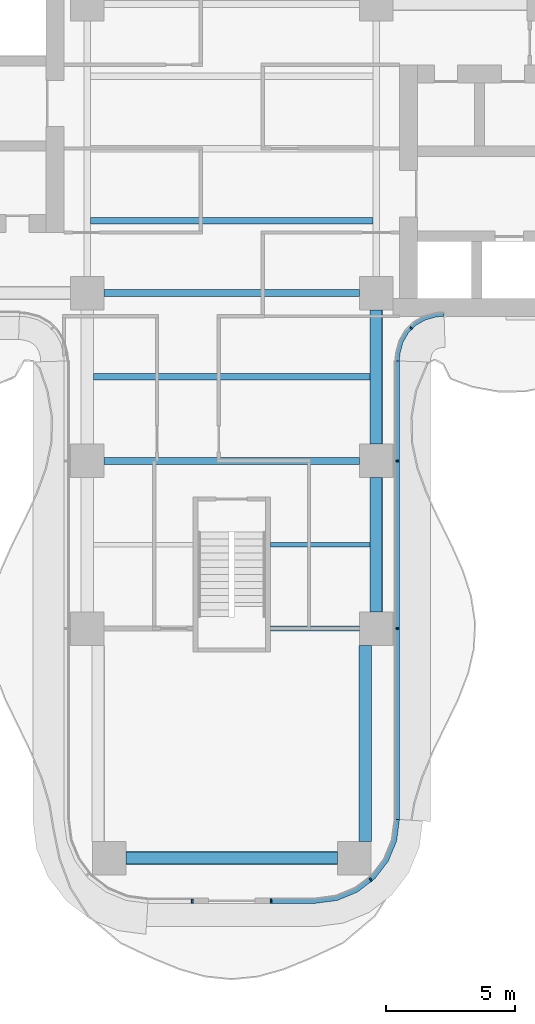
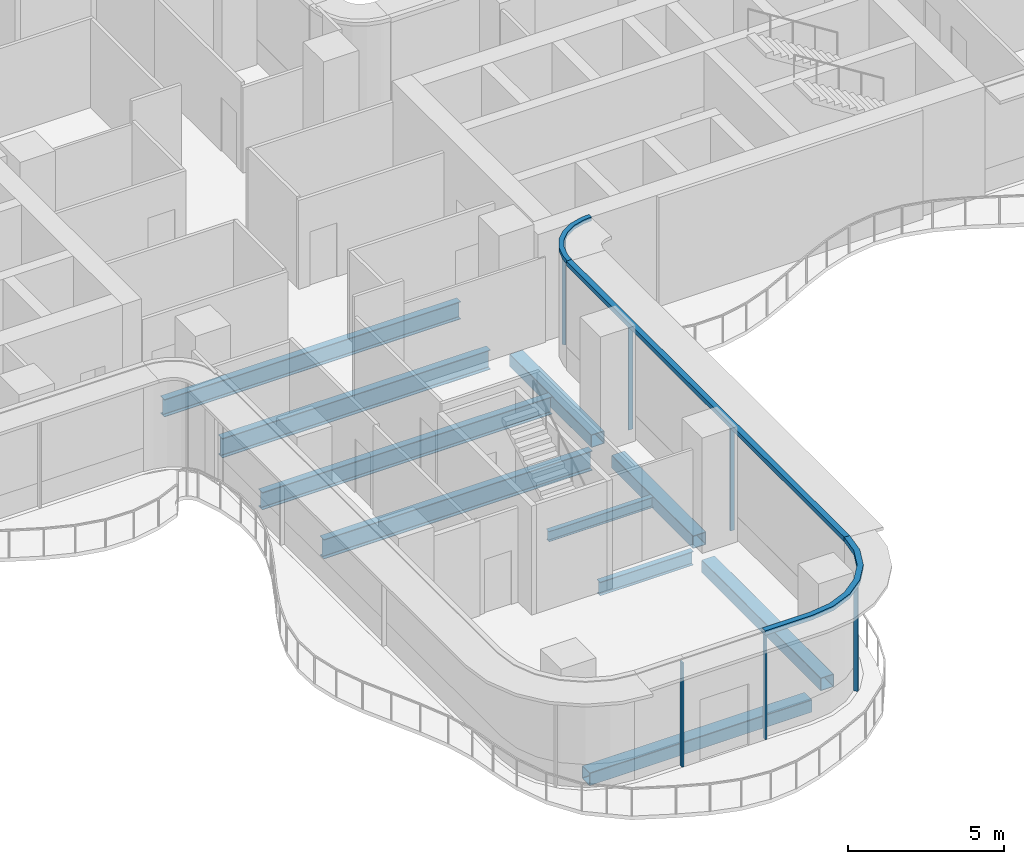
# One storey, part 5 of 21: 10 beams, 9 members, 4 elements without a shape of their own.
"""IFC4 building model written with IfcOpenShell, lengths in metres."""

import ifcopenshell
import ifcopenshell.guid

model = None  # the IFC model being written
_history = None  # IfcOwnerHistory: only IFC2X3 demands one
_inside = {}  # id of a spatial element -> (the spatial element, [elements in it])
_under = {}  # id of a project, library or spatial element -> (it, [spatial elements below it])
_declared = {}  # id of a project -> (the project, [libraries it declares])
_typed = {}  # id of a type object -> (the type object, [elements of that type])
_made_of = {}  # id of a material, layer set ... -> (it, [elements and type objects made of it])


def new_model(schema):
    """Start an empty IFC model of exactly this schema.

    Asked for "IFC4X3", IfcOpenShell would pick the latest addendum, in which some entities
    have other attributes; the version numbers below select the first issue.
    IFC2X3 requires an IfcOwnerHistory on every rooted entity: one is made here for all.
    """
    global model, _history
    if schema == "IFC4X3":
        model = ifcopenshell.file(schema_version=(4, 3, 0, 0))
    else:
        model = ifcopenshell.file(schema=schema)
    _inside.clear()
    _under.clear()
    _declared.clear()
    _typed.clear()
    _made_of.clear()
    _history = None
    if model.schema == "IFC2X3":
        org = make("IfcOrganization", Name="unknown")
        user = make(
            "IfcPersonAndOrganization",
            ThePerson=make("IfcPerson", FamilyName="unknown"),
            TheOrganization=org,
        )
        app = make(
            "IfcApplication",
            ApplicationDeveloper=org,
            Version="unknown",
            ApplicationFullName="unknown",
            ApplicationIdentifier="unknown",
        )
        _history = make(
            "IfcOwnerHistory",
            OwningUser=user,
            OwningApplication=app,
            ChangeAction="ADDED",
            CreationDate=0,
        )
    return model


def make(cls, **values):
    """One entity of the class cls with the attributes given. An attribute that is None is left unset."""
    return model.create_entity(
        cls, **{name: value for name, value in values.items() if value is not None}
    )


def rooted(cls, **values):
    """An entity with a GlobalId (a new one), such as an element, a storey or a relation."""
    return make(cls, GlobalId=ifcopenshell.guid.new(), OwnerHistory=_history, **values)


def si_unit(unit_type, name, prefix=None):
    """IfcSIUnit, for example si_unit("LENGTHUNIT", "METRE", prefix="MILLI")."""
    return make("IfcSIUnit", UnitType=unit_type, Prefix=prefix, Name=name)


def assignment(units):
    """IfcUnitAssignment: the units of a project."""
    return None if units is None else make("IfcUnitAssignment", Units=units)


def point(xyz):
    """IfcCartesianPoint."""
    return None if xyz is None else make("IfcCartesianPoint", Coordinates=xyz)


def direction(xyz):
    """IfcDirection."""
    return None if xyz is None else make("IfcDirection", DirectionRatios=xyz)


def frame(location, z_axis=None, x_axis=None):
    """IfcAxis2Placement3D, a coordinate frame: its origin and axes. An axis left out is left unset."""
    return make(
        "IfcAxis2Placement3D",
        Location=point(location),
        Axis=direction(z_axis),
        RefDirection=direction(x_axis),
    )


def frame_2d(location, x_axis=None):
    """IfcAxis2Placement2D, a coordinate frame in the plane: its origin and x axis."""
    return make(
        "IfcAxis2Placement2D", Location=point(location), RefDirection=direction(x_axis)
    )


def origin():
    """The frame at (0, 0, 0) with its axes left unset."""
    return frame((0.0, 0.0, 0.0))


def origin_2d():
    """The frame at (0, 0) in the plane with its x axis left unset."""
    return frame_2d((0.0, 0.0))


def place(relative_to, where):
    """IfcLocalPlacement: puts the frame where relative to a parent placement (None: the world)."""
    return make(
        "IfcLocalPlacement", PlacementRelTo=relative_to, RelativePlacement=where
    )


def context(
    kind, dimensions, precision=None, world=None, true_north=None, identifier=None
):
    """IfcGeometricRepresentationContext, for example the 3D "Model" context."""
    return make(
        "IfcGeometricRepresentationContext",
        ContextIdentifier=identifier,
        ContextType=kind,
        CoordinateSpaceDimension=dimensions,
        Precision=precision,
        WorldCoordinateSystem=world,
        TrueNorth=true_north,
    )


def subcontext(parent, identifier, kind, view, scale=None):
    """IfcGeometricRepresentationSubContext, for example "Body" below "Model"."""
    return make(
        "IfcGeometricRepresentationSubContext",
        ContextIdentifier=identifier,
        ContextType=kind,
        ParentContext=parent,
        TargetScale=scale,
        TargetView=view,
    )


def project(units=None, contexts=None):
    """IfcProject with its units and contexts."""
    return rooted(
        "IfcProject",
        Name="project",
        RepresentationContexts=contexts,
        UnitsInContext=assignment(units),
    )


def spatial(cls, under=None, at=None, **own):
    """A site, building, storey or space (cls), placed at a placement, below another one or the project."""
    s = rooted(cls, ObjectPlacement=at, **own)
    if under is not None:
        _under.setdefault(under.id(), (under, []))[1].append(s)
    return s


def polyline(points):
    """IfcPolyline through the points."""
    return make("IfcPolyline", Points=[point(p) for p in points])


def profile(cls, at=None, kind="AREA", **sizes):
    """A parametric profile (cls). Its sizes go by their IFC names, for example OverallWidth=200.0."""
    return make(cls, ProfileType=kind, Position=at, **sizes)


def rectangle(**sizes):
    """IfcRectangleProfileDef."""
    return profile("IfcRectangleProfileDef", **sizes)


def hollow_rectangle(**sizes):
    """IfcRectangleHollowProfileDef."""
    return profile("IfcRectangleHollowProfileDef", **sizes)


def i_section(**sizes):
    """IfcIShapeProfileDef."""
    return profile("IfcIShapeProfileDef", **sizes)


def outline(outer, holes=None, kind="AREA"):
    """IfcArbitraryClosedProfileDef: a profile drawn as a closed curve; with holes, ...WithVoids."""
    if holes is None:
        return make("IfcArbitraryClosedProfileDef", ProfileType=kind, OuterCurve=outer)
    return make(
        "IfcArbitraryProfileDefWithVoids",
        ProfileType=kind,
        OuterCurve=outer,
        InnerCurves=holes,
    )


def extrude(swept, where, along, depth):
    """IfcExtrudedAreaSolid: the profile swept, set in the frame where, extruded along a direction by depth."""
    return make(
        "IfcExtrudedAreaSolid",
        SweptArea=swept,
        Position=where,
        ExtrudedDirection=direction(along),
        Depth=depth,
    )


def shape(context_of_items, identifier, shape_type, items):
    """IfcShapeRepresentation: the items that make up one representation, for example the "Body"."""
    return make(
        "IfcShapeRepresentation",
        ContextOfItems=context_of_items,
        RepresentationIdentifier=identifier,
        RepresentationType=shape_type,
        Items=items,
    )


def source(mapping_origin, context_of_items, identifier, shape_type, items):
    """IfcRepresentationMap: a shape defined once, which mapped items show again and again."""
    return make(
        "IfcRepresentationMap",
        MappingOrigin=mapping_origin,
        MappedRepresentation=shape(context_of_items, identifier, shape_type, items),
    )


def transform(
    local_origin,
    x_axis=None,
    y_axis=None,
    z_axis=None,
    scale=None,
    scale2=None,
    scale3=None,
    uniform=True,
):
    """IfcCartesianTransformationOperator3D, or its non-uniform kind. x_axis, y_axis, z_axis: its Axis1, 2, 3."""
    if uniform:
        return make(
            "IfcCartesianTransformationOperator3D",
            Axis1=direction(x_axis),
            Axis2=direction(y_axis),
            LocalOrigin=point(local_origin),
            Scale=scale,
            Axis3=direction(z_axis),
        )
    return make(
        "IfcCartesianTransformationOperator3DnonUniform",
        Axis1=direction(x_axis),
        Axis2=direction(y_axis),
        LocalOrigin=point(local_origin),
        Scale=scale,
        Axis3=direction(z_axis),
        Scale2=scale2,
        Scale3=scale3,
    )


def mapped(mapping_source, mapping_target):
    """IfcMappedItem: shows the shape of a source again, moved by a transform."""
    return make(
        "IfcMappedItem", MappingSource=mapping_source, MappingTarget=mapping_target
    )


def material(Name=None, Category=None):
    """IfcMaterial."""
    return make("IfcMaterial", Name=Name, Category=Category)


def layer(
    of_material, thickness, ventilated=None, Name=None, Category=None, Priority=None
):
    """IfcMaterialLayer: one layer of a wall or slab, of a material (None: an air gap)."""
    return make(
        "IfcMaterialLayer",
        Material=of_material,
        LayerThickness=thickness,
        IsVentilated=ventilated,
        Name=Name,
        Category=Category,
        Priority=Priority,
    )


def layer_set(layers, Name=None):
    """IfcMaterialLayerSet."""
    return make("IfcMaterialLayerSet", MaterialLayers=layers, LayerSetName=Name)


def material_profile(
    of_material, cross_section, Name=None, Category=None, Priority=None
):
    """IfcMaterialProfile: a cross section and its material."""
    return make(
        "IfcMaterialProfile",
        Name=Name,
        Material=of_material,
        Profile=cross_section,
        Priority=Priority,
        Category=Category,
    )


def profile_set(profiles, Name=None, composite=None):
    """IfcMaterialProfileSet."""
    return make(
        "IfcMaterialProfileSet",
        Name=Name,
        MaterialProfiles=profiles,
        CompositeProfile=composite,
    )


def made_of(thing, what):
    """Note that an element or type object is made of a material, layer set ...; save() writes the relation."""
    if what is not None:
        _made_of.setdefault(what.id(), (what, []))[1].append(thing)
    return thing


def type_object(cls, material=None, **own):
    """A type object (cls), such as IfcWallType, which elements share."""
    return made_of(rooted(cls, **own), material)


def element(
    cls,
    number,
    at=None,
    inside=None,
    cuts=None,
    type_object=None,
    material=None,
    context=None,
    identifier="Body",
    shape_type=None,
    held_by="IfcProductDefinitionShape",
    body=None,
    shapes=None,
    **own,
):
    """One element of the class cls, such as IfcWall. Its Tag is "e" and its number.

    at: its placement. inside: the storey or other place that contains it. cuts: it is an
    opening in that element (IfcRelVoidsElement). A single representation is given by context,
    identifier, shape_type and body (its items); several are given by shapes. held_by: the class
    of the entity that holds the representations. save() writes the other relations.
    """
    e = rooted(cls, Tag="e%d" % number, ObjectPlacement=at, **own)
    if body is not None:
        shapes = [shape(context, identifier, shape_type, body)]
    if shapes is not None:
        e.Representation = make(held_by, Representations=shapes)
    if inside is not None:
        _inside.setdefault(inside.id(), (inside, []))[1].append(e)
    if cuts is not None:
        rooted(
            "IfcRelVoidsElement", RelatingBuildingElement=cuts, RelatedOpeningElement=e
        )
    if type_object is not None:
        _typed.setdefault(type_object.id(), (type_object, []))[1].append(e)
    return made_of(e, material)


def aggregate(whole, parts):
    """IfcRelAggregates: a whole, such as a stair, and the parts it consists of."""
    return rooted("IfcRelAggregates", RelatingObject=whole, RelatedObjects=parts)


def save(model, path):
    """Write the relations noted so far, then the file.

    IfcRelAggregates (storeys below a building ...), IfcRelContainedInSpatialStructure (elements
    in a storey), IfcRelDefinesByType, IfcRelAssociatesMaterial and IfcRelDeclares: one each for
    every whole, place, type object, material and project.
    """
    for whole, parts in _under.values():
        aggregate(whole, parts)
    for where, things in _inside.values():
        rooted(
            "IfcRelContainedInSpatialStructure",
            RelatedElements=things,
            RelatingStructure=where,
        )
    for kind, things in _typed.values():
        rooted("IfcRelDefinesByType", RelatedObjects=things, RelatingType=kind)
    for what, things in _made_of.values():
        rooted("IfcRelAssociatesMaterial", RelatedObjects=things, RelatingMaterial=what)
    for by, libraries in _declared.values():
        rooted("IfcRelDeclares", RelatingContext=by, RelatedDefinitions=libraries)
    model.write(path)


model = new_model("IFC4")

# Units and contexts
model_context = context("Model", 3, precision=1e-05, world=origin(), true_north=direction((0.0, 1.0)))
body_context = subcontext(model_context, "Body", "Model", "MODEL_VIEW")
ifc_project = project(units=[si_unit("LENGTHUNIT", "METRE"), si_unit("AREAUNIT", "SQUARE_METRE"), si_unit("VOLUMEUNIT", "CUBIC_METRE"), si_unit("PLANEANGLEUNIT", "RADIAN"), si_unit("MASSUNIT", "GRAM", prefix="KILO")], contexts=[model_context])

# Site, building, storey
site_placement = place(None, origin())
site = spatial("IfcSite", under=ifc_project, at=site_placement, CompositionType="ELEMENT")
building_placement = place(site_placement, origin())
building = spatial("IfcBuilding", under=site, at=building_placement, Name="Trellis Farm Tower", CompositionType="ELEMENT")
storey_placement = place(building_placement, frame((0.0, 0.0, 97.5)))
storey = spatial("IfcBuildingStorey", under=building, at=storey_placement, Name="L20", CompositionType="ELEMENT", Elevation=97.5)

# Beams
ifc_material_1 = material(Name="Steel S355", Category="steel")
ifc_material_profile_1 = material_profile(ifc_material_1, i_section(OverallWidth=0.253662109375, OverallDepth=0.68359375, WebThickness=0.012451171875, FlangeThickness=0.021728515625, FilletRadius=0.01513671875, at=origin_2d()), Name="UB 686x254x140")
ifc_profile_set_1 = profile_set([ifc_material_profile_1], Name="Steel S355")
beam_type_1 = type_object("IfcBeamType", Name="UB 686x254x140 joist", PredefinedType="JOIST", material=ifc_profile_set_1)
shared_shape_1 = source(origin(), body_context, "Body", "SweptSolid", [
    extrude(i_section(OverallWidth=0.253662109375, OverallDepth=0.68359375, WebThickness=0.012451171875, FlangeThickness=0.021728515625, FilletRadius=0.01513671875, at=origin_2d()), origin(), (0.0, 0.0, 1.0), 10.93310546875),
])
beam_1_placement = place(storey_placement, frame((-5.466552734375, -2.800048828125, -0.591796875), z_axis=(1.0, 0.0, 0.0), x_axis=(0.0, 1.0, 0.0)))
element("IfcBeam", 1, at=beam_1_placement, inside=storey, type_object=beam_type_1, Name="Floor beam", PredefinedType="JOIST", context=body_context, shape_type="MappedRepresentation", body=[
    mapped(shared_shape_1, transform((0.0, 0.0, 0.0))),
])
ifc_material_profile_2 = material_profile(ifc_material_1, i_section(OverallWidth=0.209228515625, OverallDepth=0.533203125, WebThickness=0.010009765625, FlangeThickness=0.015625, FilletRadius=0.0126953125, at=origin_2d()), Name="UB 533x210x92")
ifc_profile_set_2 = profile_set([ifc_material_profile_2], Name="Steel S355")
beam_type_2 = type_object("IfcBeamType", Name="UB 533x210x92", PredefinedType="BEAM", material=ifc_profile_set_2)
shared_shape_2 = source(origin(), body_context, "Body", "SweptSolid", [
    extrude(i_section(OverallWidth=0.209228515625, OverallDepth=0.533203125, WebThickness=0.010009765625, FlangeThickness=0.015625, FilletRadius=0.0126953125, at=origin_2d()), origin(), (0.0, 0.0, 1.0), 3.449951171875),
])
beam_2_placement = place(storey_placement, frame((1.5, -18.60009765625, -0.5166015625), z_axis=(1.0, 0.0, 0.0), x_axis=(0.0, 1.0, 0.0)))
element("IfcBeam", 2, at=beam_2_placement, inside=storey, type_object=beam_type_2, Name="Girder", PredefinedType="BEAM", context=body_context, shape_type="MappedRepresentation", body=[
    mapped(shared_shape_2, transform((0.0, 0.0, 0.0))),
])
ifc_material_profile_3 = material_profile(ifc_material_1, hollow_rectangle(XDim=0.5, YDim=0.5, WallThickness=0.02001953125, InnerFilletRadius=0.02001953125, OuterFilletRadius=0.030029296875, at=origin_2d()), Name="SHS 500x500x20")
ifc_profile_set_3 = profile_set([ifc_material_profile_3], Name="Steel S355")
beam_type_3 = type_object("IfcBeamType", Name="SHS 500x500x20", PredefinedType="BEAM", material=ifc_profile_set_3)
shared_shape_3 = source(origin(), body_context, "Body", "SweptSolid", [
    extrude(hollow_rectangle(XDim=0.5, YDim=0.5, WallThickness=0.02001953125, InnerFilletRadius=0.02001953125, OuterFilletRadius=0.030029296875, at=origin_2d()), origin(), (0.0, 0.0, 1.0), 5.199951171875),
])
for number, where, z_axis, x_axis, name in (
    (3, (5.60009765625, -17.949951171875, -0.5), (0.0, 1.0, 0.0), (-1.0, 0.0, 0.0), "Girder"),
    (4, (5.60009765625, -11.449951171875, -0.5), (0.0, 1.0, 0.0), (-1.0, 0.0, 0.0), "Girder"),
):
    element("IfcBeam", number, at=place(storey_placement, frame(where, z_axis=z_axis, x_axis=x_axis)), inside=storey, type_object=beam_type_3, Name=name, PredefinedType="BEAM", context=body_context, shape_type="MappedRepresentation", body=[
        mapped(shared_shape_3, transform((0.0, 0.0, 0.0))),
    ])
ifc_material_profile_4 = material_profile(ifc_material_1, i_section(OverallWidth=0.2666015625, OverallDepth=0.76220703125, WebThickness=0.014404296875, FlangeThickness=0.021484375, FilletRadius=0.0166015625, at=origin_2d()), Name="UB 762x267x173")
ifc_profile_set_4 = profile_set([ifc_material_profile_4], Name="Steel S355")
beam_type_4 = type_object("IfcBeamType", Name="UB 762x267x173", PredefinedType="BEAM", material=ifc_profile_set_4)
shared_shape_4 = source(origin(), body_context, "Body", "SweptSolid", [
    extrude(i_section(OverallWidth=0.2666015625, OverallDepth=0.76220703125, WebThickness=0.014404296875, FlangeThickness=0.021484375, FilletRadius=0.0166015625, at=origin_2d()), origin(), (0.0, 0.0, 1.0), 9.89990234375),
])
for number, where, z_axis, x_axis, name in (
    (5, (-4.949951171875, -12.10009765625, -0.631103515625), (1.0, 0.0, 0.0), (0.0, 1.0, 0.0), "Girder"),
    (6, (-4.949951171875, -5.60009765625, -0.631103515625), (1.0, 0.0, 0.0), (0.0, 1.0, 0.0), "Girder"),
):
    element("IfcBeam", number, at=place(storey_placement, frame(where, z_axis=z_axis, x_axis=x_axis)), inside=storey, type_object=beam_type_4, Name=name, PredefinedType="BEAM", context=body_context, shape_type="MappedRepresentation", body=[
        mapped(shared_shape_4, transform((0.0, 0.0, 0.0))),
    ])
shared_shape_5 = source(origin(), body_context, "Body", "SweptSolid", [
    extrude(hollow_rectangle(XDim=0.5, YDim=0.5, WallThickness=0.02001953125, InnerFilletRadius=0.02001953125, OuterFilletRadius=0.030029296875, at=origin_2d()), origin(), (0.0, 0.0, 1.0), 8.2001953125),
])
beam_3_placement = place(storey_placement, frame((-4.10009765625, -27.5, -0.5), z_axis=(1.0, 0.0, 0.0), x_axis=(0.0, 1.0, 0.0)))
element("IfcBeam", 7, at=beam_3_placement, inside=storey, type_object=beam_type_3, Name="Girder", PredefinedType="BEAM", context=body_context, shape_type="MappedRepresentation", body=[
    mapped(shared_shape_5, transform((0.0, 0.0, 0.0))),
])
shared_shape_6 = source(origin(), body_context, "Body", "SweptSolid", [
    extrude(hollow_rectangle(XDim=0.5, YDim=0.5, WallThickness=0.02001953125, InnerFilletRadius=0.02001953125, OuterFilletRadius=0.030029296875, at=origin_2d()), origin(), (0.0, 0.0, 1.0), 7.60009765625),
])
beam_4_placement = place(storey_placement, frame((5.175048828125, -26.85009765625, -0.5), z_axis=(0.0, 1.0, 0.0), x_axis=(-1.0, 0.0, 0.0)))
element("IfcBeam", 8, at=beam_4_placement, inside=storey, type_object=beam_type_3, Name="Girder", PredefinedType="BEAM", context=body_context, shape_type="MappedRepresentation", body=[
    mapped(shared_shape_6, transform((0.0, 0.0, 0.0))),
])
ifc_material_profile_5 = material_profile(ifc_material_1, i_section(OverallWidth=0.177978515625, OverallDepth=0.406494140625, WebThickness=0.0078125, FlangeThickness=0.0126953125, FilletRadius=0.01025390625, at=origin_2d()), Name="UB 406x178x60")
ifc_profile_set_5 = profile_set([ifc_material_profile_5], Name="Steel S355")
beam_type_5 = type_object("IfcBeamType", Name="UB 406x178x60 joist", PredefinedType="JOIST", material=ifc_profile_set_5)
shared_shape_7 = source(origin(), body_context, "Body", "SweptSolid", [
    extrude(i_section(OverallWidth=0.177978515625, OverallDepth=0.406494140625, WebThickness=0.0078125, FlangeThickness=0.0126953125, FilletRadius=0.01025390625, at=origin_2d()), origin(), (0.0, 0.0, 1.0), 3.85009765625),
])
beam_5_placement = place(storey_placement, frame((1.5, -15.35009765625, -0.453125), z_axis=(1.0, 0.0, 0.0), x_axis=(0.0, 1.0, 0.0)))
element("IfcBeam", 9, at=beam_5_placement, inside=storey, type_object=beam_type_5, Name="Floor beam", PredefinedType="JOIST", context=body_context, shape_type="MappedRepresentation", body=[
    mapped(shared_shape_7, transform((0.0, 0.0, 0.0))),
])
shared_shape_8 = source(origin(), body_context, "Body", "SweptSolid", [
    extrude(i_section(OverallWidth=0.253662109375, OverallDepth=0.68359375, WebThickness=0.012451171875, FlangeThickness=0.021728515625, FilletRadius=0.01513671875, at=origin_2d()), origin(), (0.0, 0.0, 1.0), 10.7001953125),
])
beam_6_placement = place(storey_placement, frame((-5.35009765625, -8.85009765625, -0.591796875), z_axis=(1.0, 0.0, 0.0), x_axis=(0.0, 1.0, 0.0)))
element("IfcBeam", 10, at=beam_6_placement, inside=storey, type_object=beam_type_1, Name="Floor beam", PredefinedType="JOIST", context=body_context, shape_type="MappedRepresentation", body=[
    mapped(shared_shape_8, transform((0.0, 0.0, 0.0))),
])

# Curtain wall, member
ifc_material_2 = material(Name="Aluminium and glass curtain wall", Category="aluminium")
ifc_layer_1 = layer(ifc_material_2, 0.18994140625)
ifc_layer_set_1 = layer_set([ifc_layer_1], Name="RIBBON CURTAIN WALL CW1")
curtain_wall_type_1 = type_object("IfcCurtainWallType", Name="RIBBON CURTAIN WALL CW1", PredefinedType="NOTDEFINED", material=ifc_layer_set_1)
placement_1 = place(storey_placement, origin())
curtain_wall_1 = element("IfcCurtainWall", 11, at=placement_1, inside=storey, type_object=curtain_wall_type_1, Name="CW1 003", PredefinedType="NOTDEFINED")
ifc_material_3 = material(Name="Aluminium extrusion 6063-T6", Category="aluminium")
ifc_material_profile_6 = material_profile(ifc_material_3, rectangle(XDim=0.06005859375, YDim=0.14990234375, at=origin_2d()), Name="MULLION 60x150")
ifc_profile_set_6 = profile_set([ifc_material_profile_6], Name="Aluminium extrusion 6063-T6")
member_type_1 = type_object("IfcMemberType", Name="CW1 MULLION 60x150", PredefinedType="MULLION", material=ifc_profile_set_6)
shared_shape_9 = source(origin(), body_context, "Body", "SweptSolid", [
    extrude(rectangle(XDim=0.06005859375, YDim=0.14990234375, at=origin_2d()), origin(), (0.0, 0.0, 1.0), 4.070068359375),
])
member_1_placement = place(storey_placement, frame((-1.530029296875, -29.175048828125, 0.0), z_axis=(0.0, 0.0, 1.0), x_axis=(1.0, 0.0, 0.0)))
member_1 = element("IfcMember", 12, at=member_1_placement, type_object=member_type_1, Name="MU1 003-01", PredefinedType="MULLION", context=body_context, shape_type="MappedRepresentation", body=[
    mapped(shared_shape_9, transform((0.0, 0.0, 0.0))),
])
aggregate(curtain_wall_1, [member_1])

# Curtain wall, members
curtain_wall_2 = element("IfcCurtainWall", 13, at=placement_1, inside=storey, type_object=curtain_wall_type_1, Name="CW1 004", PredefinedType="NOTDEFINED")
member_2_placement = place(storey_placement, frame((1.530029296875, -29.175048828125, 0.0), z_axis=(0.0, 0.0, 1.0), x_axis=(1.0, 0.0, 0.0)))
member_2 = element("IfcMember", 14, at=member_2_placement, type_object=member_type_1, Name="MU1 004-01", PredefinedType="MULLION", context=body_context, shape_type="MappedRepresentation", body=[
    mapped(shared_shape_9, transform((0.0, 0.0, 0.0))),
])
member_3_placement = place(storey_placement, frame((5.385498046875, -28.328369140625, 0.0), z_axis=(0.0, 0.0, 1.0), x_axis=(0.793353340291, 0.608761429009, 0.0)))
member_3 = element("IfcMember", 15, at=member_3_placement, type_object=member_type_1, Name="MU1 004-02", PredefinedType="MULLION", context=body_context, shape_type="MappedRepresentation", body=[
    mapped(shared_shape_9, transform((0.0, 0.0, 0.0))),
])

curtain_wall_3 = element("IfcCurtainWall", 16, at=placement_1, inside=storey, type_object=curtain_wall_type_1, Name="CW1 005", PredefinedType="NOTDEFINED")
member_4_placement = place(storey_placement, frame((6.425048828125, -18.60009765625, 0.0), z_axis=(0.0, 0.0, 1.0), x_axis=(0.0, 1.0, 0.0)))
member_4 = element("IfcMember", 17, at=member_4_placement, type_object=member_type_1, Name="MU1 005-01", PredefinedType="MULLION", context=body_context, shape_type="MappedRepresentation", body=[
    mapped(shared_shape_9, transform((0.0, 0.0, 0.0))),
])
member_5_placement = place(storey_placement, frame((6.425048828125, -12.10009765625, 0.0), z_axis=(0.0, 0.0, 1.0), x_axis=(0.0, 1.0, 0.0)))
member_5 = element("IfcMember", 18, at=member_5_placement, type_object=member_type_1, Name="MU1 005-02", PredefinedType="MULLION", context=body_context, shape_type="MappedRepresentation", body=[
    mapped(shared_shape_9, transform((0.0, 0.0, 0.0))),
])

# Curtain wall, member
ifc_layer_2 = layer(ifc_material_2, 0.166015625)
ifc_layer_set_2 = layer_set([ifc_layer_2], Name="WINTER GARDEN CURTAIN WALL CW3")
curtain_wall_type_2 = type_object("IfcCurtainWallType", Name="WINTER GARDEN CURTAIN WALL CW3", PredefinedType="NOTDEFINED", material=ifc_layer_set_2)
curtain_wall_4 = element("IfcCurtainWall", 19, at=placement_1, inside=storey, type_object=curtain_wall_type_2, Name="CW3 002", PredefinedType="NOTDEFINED")
ifc_material_profile_7 = material_profile(ifc_material_3, rectangle(XDim=0.050048828125, YDim=0.1201171875, at=origin_2d()), Name="MULLION 50x120")
ifc_profile_set_7 = profile_set([ifc_material_profile_7], Name="Aluminium extrusion 6063-T6")
member_type_2 = type_object("IfcMemberType", Name="CW3 MULLION 50x120", PredefinedType="MULLION", material=ifc_profile_set_7)
shared_shape_10 = source(origin(), body_context, "Body", "SweptSolid", [
    extrude(rectangle(XDim=0.050048828125, YDim=0.1201171875, at=origin_2d()), origin(), (0.0, 0.0, 1.0), 4.10009765625),
])
member_6_placement = place(storey_placement, frame((6.953125, -6.953125, 0.0), z_axis=(0.0, 0.0, 1.0), x_axis=(0.707106781187, 0.707106781187, 0.0)))
member_6 = element("IfcMember", 20, at=member_6_placement, type_object=member_type_2, Name="MU3 002-01", PredefinedType="MULLION", context=body_context, shape_type="MappedRepresentation", body=[
    mapped(shared_shape_10, transform((0.0, 0.0, 0.0))),
])

# Member
ifc_layer_3 = layer(ifc_material_3, 0.199951171875)
ifc_layer_set_3 = layer_set([ifc_layer_3], Name="Aluminium extrusion 6063-T6")
member_type_3 = type_object("IfcMemberType", Name="CW1 TRANSOM 200x180", PredefinedType="USERDEFINED", material=ifc_layer_set_3)
shared_shape_11 = source(origin(), body_context, "Body", "SweptSolid", [
    extrude(outline(polyline([(6.5, -26.0), (6.5, -8.2314453125), (6.300048828125, -8.224853515625), (6.300048828125, -25.98681640625), (6.5, -26.0)])), origin(), (0.0, 0.0, 1.0), 0.179931640625),
])
placement_2 = place(storey_placement, frame((0.0, 0.0, 4.070068359375)))
member_7 = element("IfcMember", 21, at=placement_2, type_object=member_type_3, Name="TR1 005", ObjectType="TRANSOM", PredefinedType="USERDEFINED", context=body_context, shape_type="MappedRepresentation", body=[
    mapped(shared_shape_11, transform((0.0, 0.0, 0.0))),
])

aggregate(curtain_wall_3, [member_4, member_5, member_7])

ifc_layer_4 = layer(ifc_material_3, 0.169921875)
ifc_layer_set_4 = layer_set([ifc_layer_4], Name="Aluminium extrusion 6063-T6")
member_type_4 = type_object("IfcMemberType", Name="CW3 TRANSOM 170x150", PredefinedType="USERDEFINED", material=ifc_layer_set_4)
shared_shape_12 = source(origin(), body_context, "Body", "SweptSolid", [
    extrude(outline(polyline([(6.5, -8.2314453125), (6.513916015625, -8.01953125), (6.527587890625, -7.91552734375), (6.63671875, -7.508544921875), (6.846923828125, -7.144287109375), (7.144287109375, -6.846923828125), (7.508544921875, -6.63671875), (7.91552734375, -6.527587890625), (8.01953125, -6.513916015625), (8.2314453125, -6.5), (8.225830078125, -6.330078125), (8.0029296875, -6.3447265625), (7.88232421875, -6.360595703125), (7.44287109375, -6.478271484375), (7.0400390625, -6.7109375), (6.7109375, -7.0400390625), (6.478271484375, -7.44287109375), (6.360595703125, -7.88232421875), (6.3447265625, -8.0029296875), (6.330078125, -8.225830078125), (6.5, -8.2314453125)])), origin(), (0.0, 0.0, 1.0), 0.14990234375),
])
member_8_placement = place(storey_placement, frame((0.0, 0.0, 4.10009765625)))
member_8 = element("IfcMember", 22, at=member_8_placement, type_object=member_type_4, Name="TR3 002", ObjectType="TRANSOM", PredefinedType="USERDEFINED", context=body_context, shape_type="MappedRepresentation", body=[
    mapped(shared_shape_12, transform((0.0, 0.0, 0.0))),
])

aggregate(curtain_wall_4, [member_6, member_8])

shared_shape_13 = source(origin(), body_context, "Body", "SweptSolid", [
    extrude(outline(polyline([(1.5, -29.25), (3.25, -29.25), (4.091064453125, -29.13916015625), (4.875, -28.814697265625), (5.548095703125, -28.298095703125), (6.064697265625, -27.625), (6.38916015625, -26.841064453125), (6.5, -26.0), (6.300048828125, -25.98681640625), (6.1943359375, -26.7890625), (5.889892578125, -27.524169921875), (5.405517578125, -28.155517578125), (4.774169921875, -28.639892578125), (4.0390625, -28.9443359375), (3.23681640625, -29.050048828125), (1.5, -29.050048828125), (1.5, -29.25)])), origin(), (0.0, 0.0, 1.0), 0.179931640625),
])
member_9 = element("IfcMember", 23, at=placement_2, type_object=member_type_3, Name="TR1 004", ObjectType="TRANSOM", PredefinedType="USERDEFINED", context=body_context, shape_type="MappedRepresentation", body=[
    mapped(shared_shape_13, transform((0.0, 0.0, 0.0))),
])

aggregate(curtain_wall_2, [member_2, member_3, member_9])

save(model, "model.ifc")
